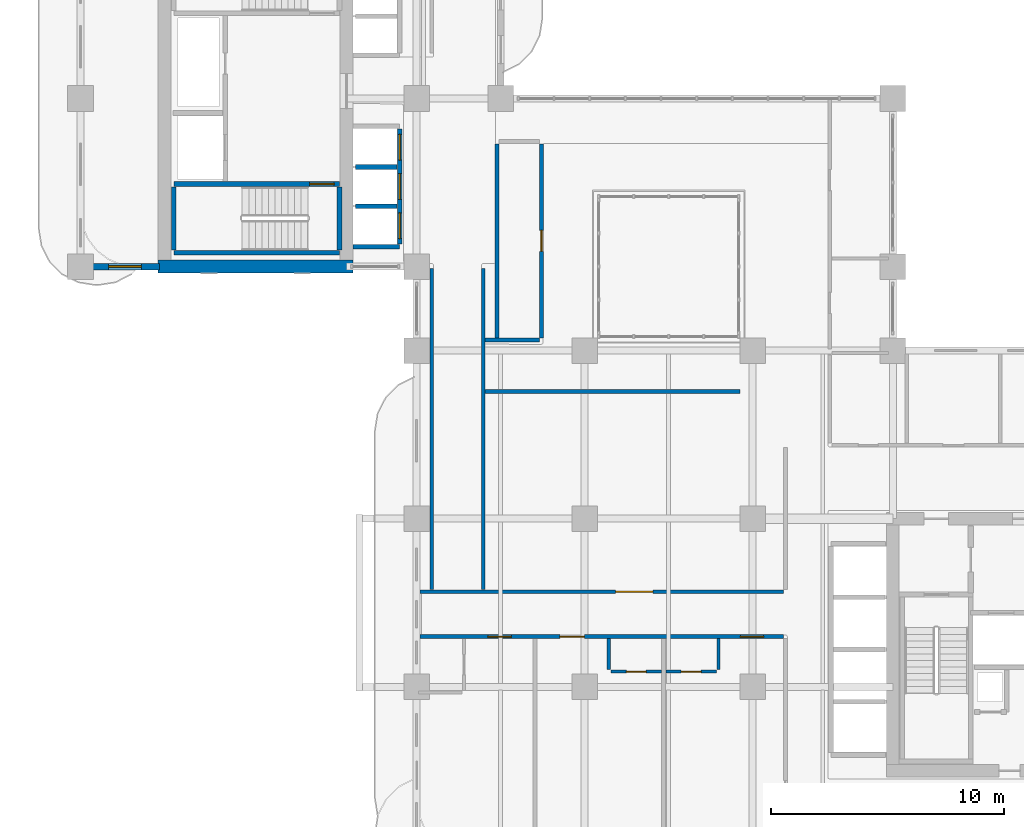
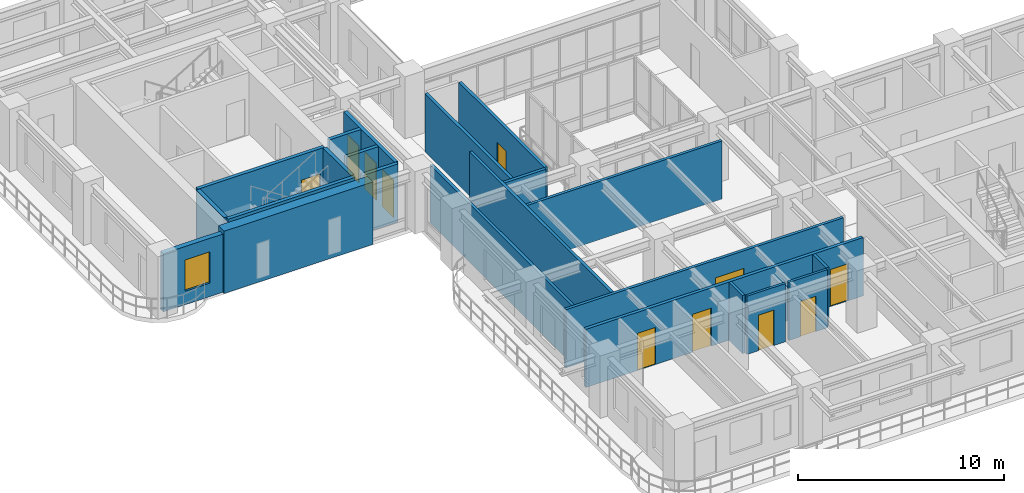
# One storey, part 12 of 22: 22 walls, 11 doors, 1 window, 12 openings.
"""IFC4 building model written with IfcOpenShell, lengths in metres."""

from ifc_helpers import new_model, si_unit, derived_unit, direction, frame, frame_2d, origin, place, context, subcontext, project, spatial, rectangle, extrude, source, transform, mapped, material, layer, layer_set, type_object, type_shapes, element, fill, save


model = new_model("IFC4")

# Units and contexts
model_context = context("Model", 3, precision=1e-05, world=origin(), true_north=direction((0.0, 1.0)))
body_context = subcontext(model_context, "Body", "Model", "MODEL_VIEW")
ifc_project = project(units=[si_unit("LENGTHUNIT", "METRE"), si_unit("AREAUNIT", "SQUARE_METRE"), si_unit("VOLUMEUNIT", "CUBIC_METRE"), si_unit("PLANEANGLEUNIT", "RADIAN"), si_unit("MASSUNIT", "GRAM", prefix="KILO"), si_unit("THERMODYNAMICTEMPERATUREUNIT", "KELVIN"), si_unit("POWERUNIT", "WATT"), derived_unit("THERMALTRANSMITTANCEUNIT", [(si_unit("POWERUNIT", "WATT"), 1), (si_unit("AREAUNIT", "SQUARE_METRE"), -1), (si_unit("THERMODYNAMICTEMPERATUREUNIT", "KELVIN"), -1)])], contexts=[model_context])

# Site, building, storey
site_placement = place(None, origin())
site = spatial("IfcSite", under=ifc_project, at=site_placement, CompositionType="ELEMENT")
building_placement = place(site_placement, origin())
building = spatial("IfcBuilding", under=site, at=building_placement, Name="Zahravan Archway Hotel and Residences", CompositionType="ELEMENT")
storey_placement = place(building_placement, frame((0.0, 0.0, 73.10009765625)))
storey = spatial("IfcBuildingStorey", under=building, at=storey_placement, Name="L17", CompositionType="ELEMENT", Elevation=73.10009765625)

# Wall
ifc_material_1 = material(Name="Concrete C70/85", Category="concrete")
ifc_layer_1 = layer(ifc_material_1, 0.550048828125, Name="Concrete C70/85", Category="concrete")
ifc_layer_set_1 = layer_set([ifc_layer_1], Name="Concrete C70/85")
wall_type_1 = type_object("IfcWallType", Name="CW-CORE-550", PredefinedType="SHEAR", material=ifc_layer_set_1)
wall_1_placement = place(storey_placement, frame((3.324951171875, 25.199951171875, 0.0), z_axis=(0.0, 0.0, 1.0), x_axis=(1.0, 0.0, 0.0)))
element("IfcWall", 1, at=wall_1_placement, inside=storey, type_object=wall_type_1, Name="L17 Core B Shear S Wall 550 mm", PredefinedType="SHEAR", context=body_context, shape_type="SweptSolid", body=[
    extrude(rectangle(XDim=8.35009765625, YDim=0.550048828125, at=frame_2d((4.175048828125, 0.0))), origin(), (0.0, 0.0, 1.0), 3.699951171875),
])

# Wall, opening, window
ifc_material_2 = material(Name="Honed Red-Ochre Sandstone & Insulated Block", Category="masonry")
ifc_layer_2 = layer(ifc_material_2, 0.280029296875, Name="Honed Red-Ochre Sandstone & Insulated Block", Category="masonry")
ifc_layer_set_2 = layer_set([ifc_layer_2], Name="Honed Red-Ochre Sandstone & Insulated Block")
wall_type_2 = type_object("IfcWallType", Name="EW-LOG-280", PredefinedType="SOLIDWALL", material=ifc_layer_set_2)
wall_2_placement = place(storey_placement, frame((0.0, 25.199951171875, 0.0), z_axis=(0.0, 0.0, 1.0), x_axis=(1.0, 0.0, 0.0)))
wall_2 = element("IfcWall", 2, at=wall_2_placement, inside=storey, type_object=wall_type_2, Name="L17 Exterior Sandstone Wall WB-SW", PredefinedType="SOLIDWALL", context=body_context, shape_type="SweptSolid", body=[
    extrude(rectangle(XDim=3.3798828125, YDim=0.280029296875, at=frame_2d((1.68994140625, 0.0))), origin(), (0.0, 0.0, 1.0), 3.449951171875),
])
opening_1_placement = place(wall_2_placement, frame((1.205078125, 0.0, 0.800048828125)))
opening_1 = element("IfcOpeningElement", 3, at=opening_1_placement, cuts=wall_2, Name="Opening W-03", PredefinedType="OPENING", context=body_context, shape_type="SweptSolid", body=[
    extrude(rectangle(XDim=1.39990234375, YDim=1.85009765625, at=frame_2d((0.699951171875, 0.925048828125))), frame((0.0, 0.14990234375, 0.0), z_axis=(0.0, -1.0, 0.0), x_axis=(1.0, 0.0, 0.0)), (0.0, 0.0, 1.0), 0.300048828125),
])
ifc_material_3 = material(Name="Bronze-Anodized Thermal-Break Aluminium & Low-E Glass", Category="aluminium")
window_type = type_object("IfcWindowType", Name="WIN-TWR-1400", PartitioningType="SINGLE_PANEL", PredefinedType="WINDOW", material=ifc_material_3)
shared_shape_1 = source(origin(), body_context, "Body", "SweptSolid", [
    extrude(rectangle(XDim=1.39990234375, YDim=1.85009765625, at=frame_2d((0.699951171875, 0.925048828125))), frame((0.0, 0.030029296875, 0.0), z_axis=(0.0, -1.0, 0.0), x_axis=(1.0, 0.0, 0.0)), (0.0, 0.0, 1.0), 0.06005859375),
])
type_shapes(window_type, [shared_shape_1])
window_placement = place(opening_1_placement, origin())
window = element("IfcWindow", 4, at=window_placement, inside=storey, type_object=window_type, Name="L17 Loggia Window 29", OverallHeight=1.85009765625, OverallWidth=1.39990234375, PartitioningType="SINGLE_PANEL", PredefinedType="WINDOW", context=body_context, shape_type="MappedRepresentation", body=[
    mapped(shared_shape_1, transform((0.0, 0.0, 0.0), scale=1.0)),
])
fill(opening_1, window)

# Wall, opening, door
ifc_material_4 = material(Name="Fire-Rated Gypsum & Concrete Block", Category="concrete")
ifc_layer_3 = layer(ifc_material_4, 0.159912109375, Name="Fire-Rated Gypsum & Concrete Block", Category="concrete")
ifc_layer_set_3 = layer_set([ifc_layer_3], Name="Fire-Rated Gypsum & Concrete Block")
wall_type_3 = type_object("IfcWallType", Name="PW-CORR-160", PredefinedType="PARTITIONING", material=ifc_layer_set_3)
wall_3_placement = place(storey_placement, frame((14.548095703125, 11.27001953125, 0.0), z_axis=(0.0, 0.0, 1.0), x_axis=(1.0, 0.0, 0.0)))
wall_3 = element("IfcWall", 5, at=wall_3_placement, inside=storey, type_object=wall_type_3, Name="L17 Partition WA-CN", PredefinedType="PARTITIONING", context=body_context, shape_type="SweptSolid", body=[
    extrude(rectangle(XDim=15.56201171875, YDim=0.159912109375, at=frame_2d((7.781005859375, 0.0))), origin(), (0.0, 0.0, 1.0), 3.449951171875),
])
opening_2_placement = place(wall_3_placement, frame((8.376953125, 0.0, 0.0)))
opening_2 = element("IfcOpeningElement", 6, at=opening_2_placement, cuts=wall_3, Name="Opening D-P2", PredefinedType="OPENING", context=body_context, shape_type="SweptSolid", body=[
    extrude(rectangle(XDim=1.60009765625, YDim=2.39990234375, at=frame_2d((0.800048828125, 1.199951171875))), frame((0.0, 0.08984375, 0.0), z_axis=(0.0, -1.0, 0.0), x_axis=(1.0, 0.0, 0.0)), (0.0, 0.0, 1.0), 0.179931640625),
])
ifc_material_5 = material(Name="Bronze-Anodized Glazed Aluminium", Category="aluminium")
door_type_1 = type_object("IfcDoorType", Name="ID-PUBLIC-1600", OperationType="DOUBLE_DOOR_SINGLE_SWING", PredefinedType="DOOR", material=ifc_material_5)
shared_shape_2 = source(origin(), body_context, "Body", "SweptSolid", [
    extrude(rectangle(XDim=1.60009765625, YDim=2.39990234375, at=frame_2d((0.800048828125, 1.199951171875))), frame((0.0, 0.02490234375, 0.0), z_axis=(0.0, -1.0, 0.0), x_axis=(1.0, 0.0, 0.0)), (0.0, 0.0, 1.0), 0.050048828125),
])
type_shapes(door_type_1, [shared_shape_2])
door_1_placement = place(opening_2_placement, origin())
door_1 = element("IfcDoor", 7, at=door_1_placement, inside=storey, type_object=door_type_1, Name="L17 Atrium Spa Door", OperationType="DOUBLE_DOOR_SINGLE_SWING", OverallHeight=2.39990234375, OverallWidth=1.60009765625, PredefinedType="DOOR", context=body_context, shape_type="MappedRepresentation", body=[
    mapped(shared_shape_2, transform((0.0, 0.0, 0.0), scale=1.0)),
])
fill(opening_2, door_1)

# Walls
for number, where, z_axis, x_axis, name in (
    (8, (15.050048828125, 11.360107421875, 0.0), (0.0, 0.0, 1.0), (0.0, 1.0, 0.0), "L17 Partition LNK-W"),
    (9, (17.25, 11.360107421875, 0.0), (0.0, 0.0, 1.0), (0.0, 1.0, 0.0), "L17 Partition LNK-E"),
):
    element("IfcWall", number, at=place(storey_placement, frame(where, z_axis=z_axis, x_axis=x_axis)), inside=storey, type_object=wall_type_3, Name=name, PredefinedType="PARTITIONING", context=body_context, shape_type="SweptSolid", body=[
        extrude(rectangle(XDim=13.75, YDim=0.159912109375, at=frame_2d((6.875, 0.0))), origin(), (0.0, 0.0, 1.0), 3.449951171875),
    ])
wall_4_placement = place(storey_placement, frame((17.340087890625, 19.85009765625, 0.0), z_axis=(0.0, 0.0, 1.0), x_axis=(1.0, 0.0, 0.0)))
element("IfcWall", 10, at=wall_4_placement, inside=storey, type_object=wall_type_3, Name="L17 Partition ATR-S", PredefinedType="PARTITIONING", context=body_context, shape_type="SweptSolid", body=[
    extrude(rectangle(XDim=10.919921875, YDim=0.159912109375, at=frame_2d((5.4599609375, 0.0))), origin(), (0.0, 0.0, 1.0), 3.449951171875),
])

# Wall, openings, doors
ifc_layer_4 = layer(ifc_material_4, 0.179931640625, Name="Fire-Rated Gypsum & Concrete Block", Category="concrete")
ifc_layer_set_4 = layer_set([ifc_layer_4], Name="Fire-Rated Gypsum & Concrete Block")
wall_type_4 = type_object("IfcWallType", Name="PW-CORR-180", PredefinedType="PARTITIONING", material=ifc_layer_set_4)
wall_5_placement = place(storey_placement, frame((14.548095703125, 9.35009765625, 0.0), z_axis=(0.0, 0.0, 1.0), x_axis=(1.0, 0.0, 0.0)))
wall_5 = element("IfcWall", 11, at=wall_5_placement, inside=storey, type_object=wall_type_4, Name="L17 Partition WA-CS", PredefinedType="PARTITIONING", context=body_context, shape_type="SweptSolid", body=[
    extrude(rectangle(XDim=15.56201171875, YDim=0.179931640625, at=frame_2d((7.781005859375, 0.0))), origin(), (0.0, 0.0, 1.0), 3.449951171875),
])
opening_3_placement = place(wall_5_placement, frame((2.907958984375, 0.0, 0.0)))
opening_3 = element("IfcOpeningElement", 12, at=opening_3_placement, cuts=wall_5, Name="Opening D-U2", PredefinedType="OPENING", context=body_context, shape_type="SweptSolid", body=[
    extrude(rectangle(XDim=1.0, YDim=2.199951171875, at=frame_2d((0.5, 1.10009765625))), frame((0.0, 0.10009765625, 0.0), z_axis=(0.0, -1.0, 0.0), x_axis=(1.0, 0.0, 0.0)), (0.0, 0.0, 1.0), 0.199951171875),
])
opening_4_placement = place(wall_5_placement, frame((5.985107421875, 0.0, 0.0)))
opening_4 = element("IfcOpeningElement", 13, at=opening_4_placement, cuts=wall_5, Name="Opening D-U1", PredefinedType="OPENING", context=body_context, shape_type="SweptSolid", body=[
    extrude(rectangle(XDim=1.050048828125, YDim=2.25, at=frame_2d((0.52490234375, 1.125))), frame((0.0, 0.10009765625, 0.0), z_axis=(0.0, -1.0, 0.0), x_axis=(1.0, 0.0, 0.0)), (0.0, 0.0, 1.0), 0.199951171875),
])
opening_5_placement = place(wall_5_placement, frame((13.719970703125, 0.0, 0.0)))
opening_5 = element("IfcOpeningElement", 14, at=opening_5_placement, cuts=wall_5, Name="Opening D-U2", PredefinedType="OPENING", context=body_context, shape_type="SweptSolid", body=[
    extrude(rectangle(XDim=1.0, YDim=2.199951171875, at=frame_2d((0.5, 1.10009765625))), frame((0.0, 0.10009765625, 0.0), z_axis=(0.0, -1.0, 0.0), x_axis=(1.0, 0.0, 0.0)), (0.0, 0.0, 1.0), 0.199951171875),
])
ifc_material_6 = material(Name="Hardwood Veneer Timber", Category="wood")
door_type_2 = type_object("IfcDoorType", Name="ID-UNIT-1050", OperationType="NOTDEFINED", PredefinedType="DOOR", material=ifc_material_6)
shared_shape_3 = source(origin(), body_context, "Body", "SweptSolid", [
    extrude(rectangle(XDim=1.050048828125, YDim=2.25, at=frame_2d((0.52490234375, 1.125))), frame((0.0, 0.02490234375, 0.0), z_axis=(0.0, -1.0, 0.0), x_axis=(1.0, 0.0, 0.0)), (0.0, 0.0, 1.0), 0.050048828125),
])
type_shapes(door_type_2, [shared_shape_3])
door_2_placement = place(opening_4_placement, origin())
door_2 = element("IfcDoor", 15, at=door_2_placement, inside=storey, type_object=door_type_2, Name="L17 Hotel Guestroom 2 Entrance Door", OperationType="SINGLE_SWING_LEFT", OverallHeight=2.25, OverallWidth=1.050048828125, PredefinedType="DOOR", context=body_context, shape_type="MappedRepresentation", body=[
    mapped(shared_shape_3, transform((0.0, 0.0, 0.0), scale=1.0)),
])
fill(opening_4, door_2)
door_type_3 = type_object("IfcDoorType", Name="ID-UNIT-1000", OperationType="NOTDEFINED", PredefinedType="DOOR", material=ifc_material_6)
shared_shape_4 = source(origin(), body_context, "Body", "SweptSolid", [
    extrude(rectangle(XDim=1.0, YDim=2.199951171875, at=frame_2d((0.5, 1.10009765625))), frame((0.0, 0.02490234375, 0.0), z_axis=(0.0, -1.0, 0.0), x_axis=(1.0, 0.0, 0.0)), (0.0, 0.0, 1.0), 0.050048828125),
])
type_shapes(door_type_3, [shared_shape_4])
door_3_placement = place(opening_3_placement, origin())
door_3 = element("IfcDoor", 16, at=door_3_placement, inside=storey, type_object=door_type_3, Name="L17 Hotel Guestroom 1 Entrance Door", OperationType="SINGLE_SWING_LEFT", OverallHeight=2.199951171875, OverallWidth=1.0, PredefinedType="DOOR", context=body_context, shape_type="MappedRepresentation", body=[
    mapped(shared_shape_4, transform((0.0, 0.0, 0.0), scale=1.0)),
])
fill(opening_3, door_3)
door_4_placement = place(opening_5_placement, origin())
door_4 = element("IfcDoor", 17, at=door_4_placement, inside=storey, type_object=door_type_3, Name="L17 Hotel Guestroom 3 Entrance Door", OperationType="SINGLE_SWING_LEFT", OverallHeight=2.199951171875, OverallWidth=1.0, PredefinedType="DOOR", context=body_context, shape_type="MappedRepresentation", body=[
    mapped(shared_shape_4, transform((0.0, 0.0, 0.0), scale=1.0)),
])
fill(opening_5, door_4)

# Wall
ifc_layer_5 = layer(ifc_material_4, 0.199951171875, Name="Fire-Rated Gypsum & Concrete Block", Category="concrete")
ifc_layer_set_5 = layer_set([ifc_layer_5], Name="Fire-Rated Gypsum & Concrete Block")
wall_type_5 = type_object("IfcWallType", Name="PW-SHAFT-200", PredefinedType="PARTITIONING", material=ifc_layer_set_5)
wall_6_placement = place(storey_placement, frame((11.68505859375, 26.050048828125, 0.0), z_axis=(0.0, 0.0, 1.0), x_axis=(1.0, 0.0, 0.0)))
element("IfcWall", 18, at=wall_6_placement, inside=storey, type_object=wall_type_5, Name="L17 Partition B1-S", PredefinedType="PARTITIONING", context=body_context, shape_type="SweptSolid", body=[
    extrude(rectangle(XDim=1.98486328125, YDim=0.199951171875, at=frame_2d((0.992431640625, 0.0))), origin(), (0.0, 0.0, 1.0), 3.449951171875),
])

# Wall, openings, doors
wall_7_placement = place(storey_placement, frame((13.679931640625, 26.159912109375, 0.0), z_axis=(0.0, 0.0, 1.0), x_axis=(0.0, 1.0, 0.0)))
wall_7 = element("IfcWall", 19, at=wall_7_placement, inside=storey, type_object=wall_type_5, Name="L17 Partition B1-E", PredefinedType="PARTITIONING", context=body_context, shape_type="SweptSolid", body=[
    extrude(rectangle(XDim=4.940185546875, YDim=0.199951171875, at=frame_2d((2.47021484375, 0.0))), origin(), (0.0, 0.0, 1.0), 3.449951171875),
])
opening_6_placement = place(wall_7_placement, frame((0.239990234375, 0.0, 0.0)))
opening_6 = element("IfcOpeningElement", 20, at=opening_6_placement, cuts=wall_7, Name="Opening LD", PredefinedType="OPENING", context=body_context, shape_type="SweptSolid", body=[
    extrude(rectangle(XDim=1.10009765625, YDim=2.199951171875, at=frame_2d((0.550048828125, 1.10009765625))), frame((0.0, 0.10986328125, 0.0), z_axis=(0.0, -1.0, 0.0), x_axis=(1.0, 0.0, 0.0)), (0.0, 0.0, 1.0), 0.219970703125),
])
opening_7_placement = place(wall_7_placement, frame((1.919921875, 0.0, 0.0)))
opening_7 = element("IfcOpeningElement", 21, at=opening_7_placement, cuts=wall_7, Name="Opening LD", PredefinedType="OPENING", context=body_context, shape_type="SweptSolid", body=[
    extrude(rectangle(XDim=1.10009765625, YDim=2.199951171875, at=frame_2d((0.550048828125, 1.10009765625))), frame((0.0, 0.10986328125, 0.0), z_axis=(0.0, -1.0, 0.0), x_axis=(1.0, 0.0, 0.0)), (0.0, 0.0, 1.0), 0.219970703125),
])
opening_8_placement = place(wall_7_placement, frame((3.60009765625, 0.0, 0.0)))
opening_8 = element("IfcOpeningElement", 22, at=opening_8_placement, cuts=wall_7, Name="Opening LD", PredefinedType="OPENING", context=body_context, shape_type="SweptSolid", body=[
    extrude(rectangle(XDim=1.10009765625, YDim=2.199951171875, at=frame_2d((0.550048828125, 1.10009765625))), frame((0.0, 0.10986328125, 0.0), z_axis=(0.0, -1.0, 0.0), x_axis=(1.0, 0.0, 0.0)), (0.0, 0.0, 1.0), 0.219970703125),
])
ifc_material_7 = material(Name="Brushed Stainless Steel", Category="steel")
door_type_4 = type_object("IfcDoorType", Name="DR-LIFT-LD", OperationType="SLIDING_TO_LEFT", PredefinedType="DOOR", material=ifc_material_7)
shared_shape_5 = source(origin(), body_context, "Body", "SweptSolid", [
    extrude(rectangle(XDim=1.10009765625, YDim=2.199951171875, at=frame_2d((0.550048828125, 1.10009765625))), frame((0.0, 0.02490234375, 0.0), z_axis=(0.0, -1.0, 0.0), x_axis=(1.0, 0.0, 0.0)), (0.0, 0.0, 1.0), 0.050048828125),
])
type_shapes(door_type_4, [shared_shape_5])
door_5_placement = place(opening_6_placement, origin())
door_5 = element("IfcDoor", 23, at=door_5_placement, inside=storey, type_object=door_type_4, Name="L17 Lift LP-1 Sliding Landing Door", OperationType="SLIDING_TO_LEFT", OverallHeight=2.199951171875, OverallWidth=1.10009765625, PredefinedType="DOOR", context=body_context, shape_type="MappedRepresentation", body=[
    mapped(shared_shape_5, transform((0.0, 0.0, 0.0), scale=1.0)),
])
fill(opening_6, door_5)
door_6_placement = place(opening_7_placement, origin())
door_6 = element("IfcDoor", 24, at=door_6_placement, inside=storey, type_object=door_type_4, Name="L17 Lift LP-2 Sliding Landing Door", OperationType="SLIDING_TO_LEFT", OverallHeight=2.199951171875, OverallWidth=1.10009765625, PredefinedType="DOOR", context=body_context, shape_type="MappedRepresentation", body=[
    mapped(shared_shape_5, transform((0.0, 0.0, 0.0), scale=1.0)),
])
fill(opening_7, door_6)
door_7_placement = place(opening_8_placement, origin())
door_7 = element("IfcDoor", 25, at=door_7_placement, inside=storey, type_object=door_type_4, Name="L17 Lift LP-3 Sliding Landing Door", OperationType="SLIDING_TO_LEFT", OverallHeight=2.199951171875, OverallWidth=1.10009765625, PredefinedType="DOOR", context=body_context, shape_type="MappedRepresentation", body=[
    mapped(shared_shape_5, transform((0.0, 0.0, 0.0), scale=1.0)),
])
fill(opening_8, door_7)

# Walls
for number, where, z_axis, x_axis, name in (
    (26, (11.784912109375, 27.7900390625, 0.0), (0.0, 0.0, 1.0), (1.0, 0.0, 0.0), "L17 Partition B1-D"),
    (27, (11.784912109375, 29.469970703125, 0.0), (0.0, 0.0, 1.0), (1.0, 0.0, 0.0), "L17 Partition B1-D"),
):
    element("IfcWall", number, at=place(storey_placement, frame(where, z_axis=z_axis, x_axis=x_axis)), inside=storey, type_object=wall_type_5, Name=name, PredefinedType="PARTITIONING", context=body_context, shape_type="SweptSolid", body=[
        extrude(rectangle(XDim=1.78515625, YDim=0.199951171875, at=frame_2d((0.892578125, 0.0))), origin(), (0.0, 0.0, 1.0), 3.449951171875),
    ])
ifc_material_8 = material(Name="Acoustic Stud Partition")
ifc_layer_6 = layer(ifc_material_8, 0.169921875, Name="Acoustic Stud Partition")
ifc_layer_set_6 = layer_set([ifc_layer_6], Name="Acoustic Stud Partition")
wall_type_6 = type_object("IfcWallType", Name="PW-UNIT-170", PredefinedType="PARTITIONING", material=ifc_layer_set_6)
wall_8_placement = place(storey_placement, frame((17.340087890625, 22.050048828125, 0.0), z_axis=(0.0, 0.0, 1.0), x_axis=(1.0, 0.0, 0.0)))
element("IfcWall", 28, at=wall_8_placement, inside=storey, type_object=wall_type_6, Name="L17 Partition ATR-WLS", PredefinedType="PARTITIONING", context=body_context, shape_type="SweptSolid", body=[
    extrude(rectangle(XDim=2.31982421875, YDim=0.169921875, at=frame_2d((1.159912109375, 0.0))), origin(), (0.0, 0.0, 1.0), 3.449951171875),
])
wall_9_placement = place(storey_placement, frame((17.85009765625, 22.139892578125, 0.0), z_axis=(0.0, 0.0, 1.0), x_axis=(0.0, 1.0, 0.0)))
element("IfcWall", 29, at=wall_9_placement, inside=storey, type_object=wall_type_6, Name="L17 Partition ATR-WLW", PredefinedType="PARTITIONING", context=body_context, shape_type="SweptSolid", body=[
    extrude(rectangle(XDim=8.320068359375, YDim=0.169921875, at=frame_2d((4.16015625, 0.0))), origin(), (0.0, 0.0, 1.0), 3.449951171875),
])

# Wall, opening, door
wall_10_placement = place(storey_placement, frame((19.75, 22.139892578125, 0.0), z_axis=(0.0, 0.0, 1.0), x_axis=(0.0, 1.0, 0.0)))
wall_10 = element("IfcWall", 30, at=wall_10_placement, inside=storey, type_object=wall_type_6, Name="L17 Partition ATR-WL", PredefinedType="PARTITIONING", context=body_context, shape_type="SweptSolid", body=[
    extrude(rectangle(XDim=8.320068359375, YDim=0.169921875, at=frame_2d((4.16015625, 0.0))), origin(), (0.0, 0.0, 1.0), 3.449951171875),
])
opening_9_placement = place(wall_10_placement, frame((3.7099609375, 0.0, 0.0)))
opening_9 = element("IfcOpeningElement", 31, at=opening_9_placement, cuts=wall_10, Name="Opening D-I2", PredefinedType="OPENING", context=body_context, shape_type="SweptSolid", body=[
    extrude(rectangle(XDim=0.89990234375, YDim=2.14990234375, at=frame_2d((0.449951171875, 1.074951171875))), frame((0.0, 0.094970703125, 0.0), z_axis=(0.0, -1.0, 0.0), x_axis=(1.0, 0.0, 0.0)), (0.0, 0.0, 1.0), 0.18994140625),
])
door_type_5 = type_object("IfcDoorType", Name="ID-INT-900", OperationType="NOTDEFINED", PredefinedType="DOOR", material=ifc_material_6)
shared_shape_6 = source(origin(), body_context, "Body", "SweptSolid", [
    extrude(rectangle(XDim=0.89990234375, YDim=2.14990234375, at=frame_2d((0.449951171875, 1.074951171875))), frame((0.0, 0.02490234375, 0.0), z_axis=(0.0, -1.0, 0.0), x_axis=(1.0, 0.0, 0.0)), (0.0, 0.0, 1.0), 0.050048828125),
])
type_shapes(door_type_5, [shared_shape_6])
door_8_placement = place(opening_9_placement, origin())
door_8 = element("IfcDoor", 32, at=door_8_placement, inside=storey, type_object=door_type_5, Name="L17 Atrium West Alcove Door", OperationType="SINGLE_SWING_RIGHT", OverallHeight=2.14990234375, OverallWidth=0.89990234375, PredefinedType="DOOR", context=body_context, shape_type="MappedRepresentation", body=[
    mapped(shared_shape_6, transform((0.0, 0.0, 0.0), scale=1.0)),
])
fill(opening_9, door_8)

# Wall
ifc_material_9 = material(Name="Moisture-Resistant Blockwork", Category="masonry")
ifc_layer_7 = layer(ifc_material_9, 0.139892578125, Name="Moisture-Resistant Blockwork", Category="masonry")
ifc_layer_set_7 = layer_set([ifc_layer_7], Name="Moisture-Resistant Blockwork")
wall_type_7 = type_object("IfcWallType", Name="PW-WET-140", PredefinedType="PARTITIONING", material=ifc_layer_set_7)
wall_11_placement = place(storey_placement, frame((22.635986328125, 7.93994140625, 0.0), z_axis=(0.0, 0.0, 1.0), x_axis=(0.0, 1.0, 0.0)))
element("IfcWall", 33, at=wall_11_placement, inside=storey, type_object=wall_type_7, Name="L17 Partition HKB-V2", PredefinedType="PARTITIONING", context=body_context, shape_type="SweptSolid", body=[
    extrude(rectangle(XDim=1.320068359375, YDim=0.139892578125, at=frame_2d((0.66015625, 0.0))), origin(), (0.0, 0.0, 1.0), 3.449951171875),
])

# Wall, opening, door
wall_12_placement = place(storey_placement, frame((22.72607421875, 7.85009765625, 0.0), z_axis=(0.0, 0.0, 1.0), x_axis=(1.0, 0.0, 0.0)))
wall_12 = element("IfcWall", 34, at=wall_12_placement, inside=storey, type_object=wall_type_7, Name="L17 Partition HKB-H2", PredefinedType="PARTITIONING", context=body_context, shape_type="SweptSolid", body=[
    extrude(rectangle(XDim=2.169921875, YDim=0.139892578125, at=frame_2d((1.0849609375, 0.0))), origin(), (0.0, 0.0, 1.0), 3.449951171875),
])
opening_10_placement = place(wall_12_placement, frame((0.659912109375, 0.0, 0.0)))
opening_10 = element("IfcOpeningElement", 35, at=opening_10_placement, cuts=wall_12, Name="Opening D-B1", PredefinedType="OPENING", context=body_context, shape_type="SweptSolid", body=[
    extrude(rectangle(XDim=0.85009765625, YDim=2.10009765625, at=frame_2d((0.425048828125, 1.050048828125))), frame((0.0, 0.080078125, 0.0), z_axis=(0.0, -1.0, 0.0), x_axis=(1.0, 0.0, 0.0)), (0.0, 0.0, 1.0), 0.159912109375),
])
door_type_6 = type_object("IfcDoorType", Name="ID-BATH-850", OperationType="NOTDEFINED", PredefinedType="DOOR", material=ifc_material_6)
shared_shape_7 = source(origin(), body_context, "Body", "SweptSolid", [
    extrude(rectangle(XDim=0.85009765625, YDim=2.10009765625, at=frame_2d((0.425048828125, 1.050048828125))), frame((0.0, 0.02490234375, 0.0), z_axis=(0.0, -1.0, 0.0), x_axis=(1.0, 0.0, 0.0)), (0.0, 0.0, 1.0), 0.050048828125),
])
type_shapes(door_type_6, [shared_shape_7])
door_9_placement = place(opening_10_placement, origin())
door_9 = element("IfcDoor", 36, at=door_9_placement, inside=storey, type_object=door_type_6, Name="L17 Guestroom 2 En-Suite Door", OperationType="SINGLE_SWING_RIGHT", OverallHeight=2.10009765625, OverallWidth=0.85009765625, PredefinedType="DOOR", context=body_context, shape_type="MappedRepresentation", body=[
    mapped(shared_shape_7, transform((0.0, 0.0, 0.0), scale=1.0)),
])
fill(opening_10, door_9)

# Wall
wall_13_placement = place(storey_placement, frame((27.3359375, 7.93994140625, 0.0), z_axis=(0.0, 0.0, 1.0), x_axis=(0.0, 1.0, 0.0)))
element("IfcWall", 37, at=wall_13_placement, inside=storey, type_object=wall_type_7, Name="L17 Partition HKB-V3", PredefinedType="PARTITIONING", context=body_context, shape_type="SweptSolid", body=[
    extrude(rectangle(XDim=1.320068359375, YDim=0.139892578125, at=frame_2d((0.66015625, 0.0))), origin(), (0.0, 0.0, 1.0), 3.449951171875),
])

# Wall, opening, door
wall_14_placement = place(storey_placement, frame((25.075927734375, 7.85009765625, 0.0), z_axis=(0.0, 0.0, 1.0), x_axis=(1.0, 0.0, 0.0)))
wall_14 = element("IfcWall", 38, at=wall_14_placement, inside=storey, type_object=wall_type_7, Name="L17 Partition HKB-H3", PredefinedType="PARTITIONING", context=body_context, shape_type="SweptSolid", body=[
    extrude(rectangle(XDim=2.170166015625, YDim=0.139892578125, at=frame_2d((1.0849609375, 0.0))), origin(), (0.0, 0.0, 1.0), 3.449951171875),
])
opening_11_placement = place(wall_14_placement, frame((0.659912109375, 0.0, 0.0)))
opening_11 = element("IfcOpeningElement", 39, at=opening_11_placement, cuts=wall_14, Name="Opening D-B1", PredefinedType="OPENING", context=body_context, shape_type="SweptSolid", body=[
    extrude(rectangle(XDim=0.85009765625, YDim=2.10009765625, at=frame_2d((0.425048828125, 1.050048828125))), frame((0.0, 0.080078125, 0.0), z_axis=(0.0, -1.0, 0.0), x_axis=(1.0, 0.0, 0.0)), (0.0, 0.0, 1.0), 0.159912109375),
])
door_10_placement = place(opening_11_placement, origin())
door_10 = element("IfcDoor", 40, at=door_10_placement, inside=storey, type_object=door_type_6, Name="L17 Guestroom 3 En-Suite Door", OperationType="SINGLE_SWING_RIGHT", OverallHeight=2.10009765625, OverallWidth=0.85009765625, PredefinedType="DOOR", context=body_context, shape_type="MappedRepresentation", body=[
    mapped(shared_shape_7, transform((0.0, 0.0, 0.0), scale=1.0)),
])
fill(opening_11, door_10)

# Walls
ifc_material_10 = material(Name="Concrete C50/60", Category="concrete")
ifc_layer_8 = layer(ifc_material_10, 0.199951171875, Name="Concrete C50/60", Category="concrete")
ifc_layer_set_8 = layer_set([ifc_layer_8], Name="Concrete C50/60")
wall_type_8 = type_object("IfcWallType", Name="SW-STAIR-200", PredefinedType="SHEAR", material=ifc_layer_set_8)
wall_15_placement = place(storey_placement, frame((4.0, 25.800048828125, 0.0), z_axis=(0.0, 0.0, 1.0), x_axis=(1.0, 0.0, 0.0)))
element("IfcWall", 41, at=wall_15_placement, inside=storey, type_object=wall_type_8, Name="L17 Stairwell RC Wall CB-SB1S", PredefinedType="SHEAR", context=body_context, shape_type="SweptSolid", body=[
    extrude(rectangle(XDim=7.10009765625, YDim=0.199951171875, at=frame_2d((3.550048828125, 0.0))), origin(), (0.0, 0.0, 1.0), 3.699951171875),
])
for number, where, z_axis, x_axis, name in (
    (42, (4.0, 25.919921875, 0.0), (0.0, 0.0, 1.0), (0.0, 1.0, 0.0), "L17 Stairwell RC Wall CB-SB1W"),
    (43, (11.10009765625, 25.919921875, 0.0), (0.0, 0.0, 1.0), (0.0, 1.0, 0.0), "L17 Stairwell RC Wall CB-SB1E"),
):
    element("IfcWall", number, at=place(storey_placement, frame(where, z_axis=z_axis, x_axis=x_axis)), inside=storey, type_object=wall_type_8, Name=name, PredefinedType="SHEAR", context=body_context, shape_type="SweptSolid", body=[
        extrude(rectangle(XDim=2.7001953125, YDim=0.199951171875, at=frame_2d((1.35009765625, 0.0))), origin(), (0.0, 0.0, 1.0), 3.699951171875),
    ])

# Wall, opening, door
wall_16_placement = place(storey_placement, frame((4.0, 28.739990234375, 0.0), z_axis=(0.0, 0.0, 1.0), x_axis=(1.0, 0.0, 0.0)))
wall_16 = element("IfcWall", 44, at=wall_16_placement, inside=storey, type_object=wall_type_8, Name="L17 Stairwell RC Wall CB-SB1N", PredefinedType="SHEAR", context=body_context, shape_type="SweptSolid", body=[
    extrude(rectangle(XDim=7.10009765625, YDim=0.199951171875, at=frame_2d((3.550048828125, 0.0))), origin(), (0.0, 0.0, 1.0), 3.699951171875),
])
opening_12_placement = place(wall_16_placement, frame((5.81494140625, 0.0, 0.0)))
opening_12 = element("IfcOpeningElement", 45, at=opening_12_placement, cuts=wall_16, Name="Opening FD-S1", PredefinedType="OPENING", context=body_context, shape_type="SweptSolid", body=[
    extrude(rectangle(XDim=1.050048828125, YDim=2.199951171875, at=frame_2d((0.52490234375, 1.10009765625))), frame((0.0, 0.10986328125, 0.0), z_axis=(0.0, -1.0, 0.0), x_axis=(1.0, 0.0, 0.0)), (0.0, 0.0, 1.0), 0.219970703125),
])
ifc_material_11 = material(Name="Fire-Rated Painted Steel", Category="steel")
door_type_7 = type_object("IfcDoorType", Name="FD-STAIR-1100", OperationType="NOTDEFINED", PredefinedType="DOOR", material=ifc_material_11)
shared_shape_8 = source(origin(), body_context, "Body", "SweptSolid", [
    extrude(rectangle(XDim=1.050048828125, YDim=2.199951171875, at=frame_2d((0.52490234375, 1.10009765625))), frame((0.0, 0.02490234375, 0.0), z_axis=(0.0, -1.0, 0.0), x_axis=(1.0, 0.0, 0.0)), (0.0, 0.0, 1.0), 0.050048828125),
])
type_shapes(door_type_7, [shared_shape_8])
door_11_placement = place(opening_12_placement, origin())
door_11 = element("IfcDoor", 46, at=door_11_placement, inside=storey, type_object=door_type_7, Name="L17 Stair ST-B1 Door", OperationType="SINGLE_SWING_RIGHT", OverallHeight=2.199951171875, OverallWidth=1.050048828125, PredefinedType="DOOR", context=body_context, shape_type="MappedRepresentation", body=[
    mapped(shared_shape_8, transform((0.0, 0.0, 0.0), scale=1.0)),
])
fill(opening_12, door_11)

save(model, "model.ifc")
